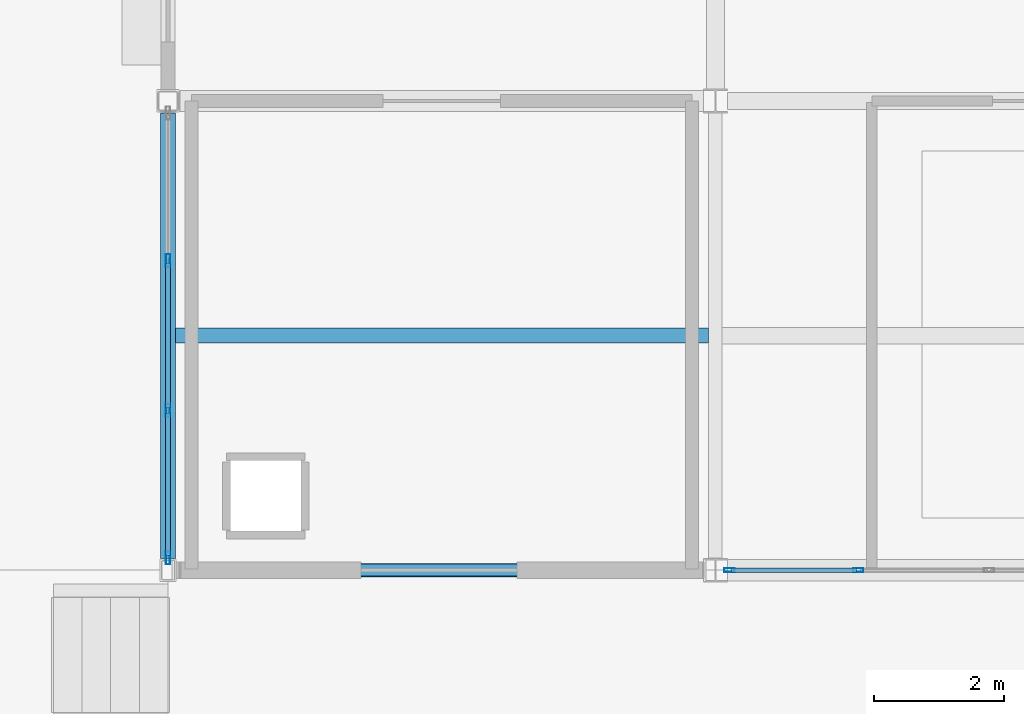
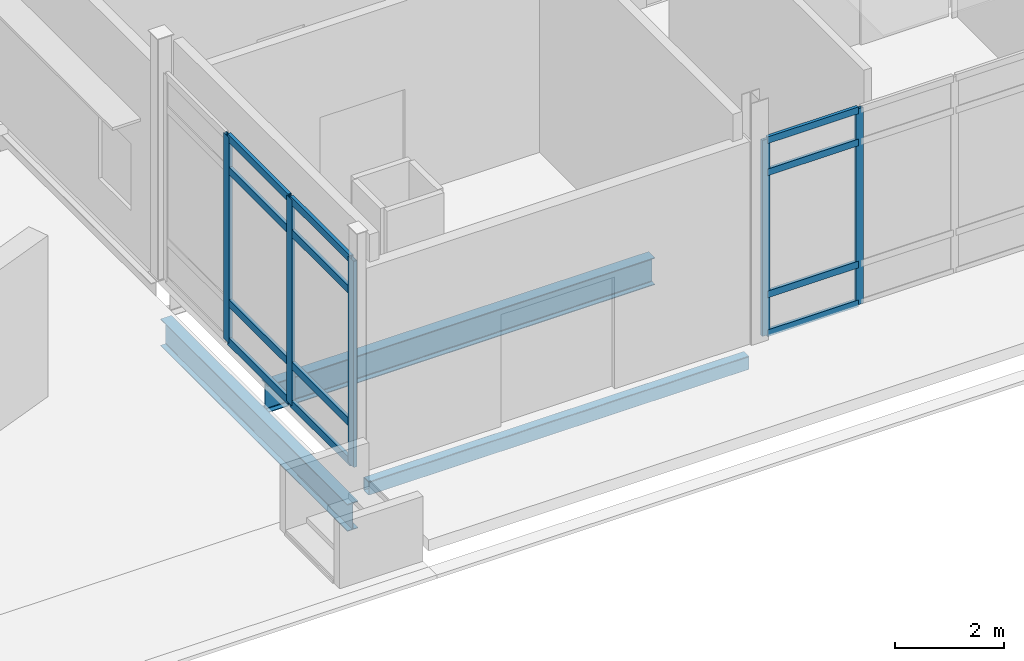
# One storey, part 35 of 229: 17 members, 3 beams, 2 elements without a shape of their own.
"""IFC4 building model written with IfcOpenShell, lengths in metres."""

from ifc_helpers import new_model, si_unit, direction, frame, origin, origin_2d, place, context, subcontext, project, spatial, hollow_rectangle, i_section, extrude, material, layer, layer_set, material_profile, profile_set, type_object, element, aggregate, save


model = new_model("IFC4")

# Units and contexts
model_context = context("Model", 3, precision=1e-05, world=origin(), true_north=direction((0.0, 1.0)))
body_context = subcontext(model_context, "Body", "Model", "MODEL_VIEW")
ifc_project = project(units=[si_unit("LENGTHUNIT", "METRE"), si_unit("AREAUNIT", "SQUARE_METRE"), si_unit("VOLUMEUNIT", "CUBIC_METRE"), si_unit("PLANEANGLEUNIT", "RADIAN"), si_unit("MASSUNIT", "GRAM", prefix="KILO")], contexts=[model_context])

# Site, building, storey
site_placement = place(None, origin())
site = spatial("IfcSite", under=ifc_project, at=site_placement, CompositionType="ELEMENT")
building_placement = place(site_placement, origin())
building = spatial("IfcBuilding", under=site, at=building_placement, Name="Calvrana Isthmian Art Gallery", CompositionType="ELEMENT")
storey_placement = place(building_placement, origin())
storey = spatial("IfcBuildingStorey", under=building, at=storey_placement, Name="L00", CompositionType="ELEMENT", Elevation=0.0)

# Beams
ifc_material_1 = material(Name="Steel ASTM A992 Gr 50", Category="steel")
ifc_material_profile_1 = material_profile(ifc_material_1, i_section(OverallWidth=0.22802734375, OverallDepth=0.60693359375, WebThickness=0.01123046875, FlangeThickness=0.017333984375, FilletRadius=0.02197265625, at=origin_2d()), Name="W24X76")
ifc_profile_set_1 = profile_set([ifc_material_profile_1], Name="Steel ASTM A992 Gr 50")
beam_type_1 = type_object("IfcBeamType", Name="BM-G-W24X76", PredefinedType="BEAM", material=ifc_profile_set_1)
beam_1_placement = place(storey_placement, frame((63.60009765625, 0.177978515625, -1.153564453125), z_axis=(0.0, 1.0, 0.0), x_axis=(-1.0, 0.0, 0.0)))
element("IfcBeam", 1, at=beam_1_placement, inside=storey, type_object=beam_type_1, Name="Girder Y L00 09/A-B", PredefinedType="BEAM", context=body_context, shape_type="SweptSolid", body=[
    extrude(i_section(OverallWidth=0.22802734375, OverallDepth=0.60693359375, WebThickness=0.01123046875, FlangeThickness=0.017333984375, FilletRadius=0.02197265625, at=origin_2d()), origin(), (0.0, 0.0, 1.0), 6.840576171875),
])
beam_2_placement = place(storey_placement, frame((63.714111328125, 3.60009765625, -0.58837890625), z_axis=(1.0, 0.0, 0.0), x_axis=(0.0, 1.0, 0.0)))
element("IfcBeam", 2, at=beam_2_placement, inside=storey, type_object=beam_type_1, Name="Composite joist L00 bay 08-00", PredefinedType="BEAM", context=body_context, shape_type="SweptSolid", body=[
    extrude(i_section(OverallWidth=0.22802734375, OverallDepth=0.60693359375, WebThickness=0.01123046875, FlangeThickness=0.017333984375, FilletRadius=0.02197265625, at=origin_2d()), origin(), (0.0, 0.0, 1.0), 8.181396484375),
])
ifc_material_2 = material(Name="Steel ASTM A500 Gr C", Category="steel")
ifc_material_profile_2 = material_profile(ifc_material_2, hollow_rectangle(XDim=0.203125, YDim=0.3046875, WallThickness=0.0126953125, OuterFilletRadius=0.02490234375, at=origin_2d()), Name="HSS305X203X12.7")
ifc_profile_set_2 = profile_set([ifc_material_profile_2], Name="Steel ASTM A500 Gr C")
beam_type_2 = type_object("IfcBeamType", Name="BM-SP-HSS305", PredefinedType="SPANDREL", material=ifc_profile_set_2)
beam_3_placement = place(storey_placement, frame((63.783935546875, 0.0, -0.4375), z_axis=(1.0, 0.0, 0.0), x_axis=(0.0, 1.0, 0.0)))
element("IfcBeam", 3, at=beam_3_placement, inside=storey, type_object=beam_type_2, Name="Girder X L00 09-10/A", PredefinedType="SPANDREL", context=body_context, shape_type="SweptSolid", body=[
    extrude(hollow_rectangle(XDim=0.203125, YDim=0.3046875, WallThickness=0.0126953125, OuterFilletRadius=0.02490234375, at=origin_2d()), origin(), (0.0, 0.0, 1.0), 8.029541015625),
])

# Curtain wall, members
ifc_material_3 = material(Name="Anodized bronze aluminium 6063-T6", Category="aluminium")
ifc_layer_1 = layer(ifc_material_3, 0.179931640625, Name="Anodized bronze aluminium 6063-T6")
ifc_layer_set_1 = layer_set([ifc_layer_1], Name="Anodized bronze aluminium 6063-T6")
curtain_wall_type_1 = type_object("IfcCurtainWallType", Name="CW-UNIT-080X44", PredefinedType="USERDEFINED", material=ifc_layer_set_1)
curtain_wall_1_placement = place(storey_placement, origin())
curtain_wall_1 = element("IfcCurtainWall", 4, at=curtain_wall_1_placement, inside=storey, type_object=curtain_wall_type_1, Name="Curtain wall CW-007", ObjectType="UNITISED CURTAIN WALL", PredefinedType="USERDEFINED")
ifc_material_profile_3 = material_profile(ifc_material_3, hollow_rectangle(XDim=0.06005859375, YDim=0.159912109375, WallThickness=0.00390625, at=origin_2d()), Name="CWM60X160")
ifc_profile_set_3 = profile_set([ifc_material_profile_3], Name="Anodized bronze aluminium 6063-T6")
member_type_1 = type_object("IfcMemberType", Name="CWM-CWM60X160", PredefinedType="MULLION", material=ifc_profile_set_3)
member_1_placement = place(storey_placement, frame((74.19140625, 0.0, 0.0), z_axis=(0.0, 0.0, 1.0), x_axis=(0.0, -1.0, 0.0)))
member_1 = element("IfcMember", 5, at=member_1_placement, type_object=member_type_1, Name="CW-007 mullion 4", PredefinedType="MULLION", context=body_context, shape_type="SweptSolid", body=[
    extrude(hollow_rectangle(XDim=0.06005859375, YDim=0.159912109375, WallThickness=0.00390625, at=origin_2d()), origin(), (0.0, 0.0, 1.0), 4.3779296875),
])
member_2_placement = place(storey_placement, frame((72.214111328125, 0.0, 0.0), z_axis=(0.0, 0.0, 1.0), x_axis=(0.0, -1.0, 0.0)))
member_2 = element("IfcMember", 6, at=member_2_placement, type_object=member_type_1, Name="CW-007 mullion 5", PredefinedType="MULLION", context=body_context, shape_type="SweptSolid", body=[
    extrude(hollow_rectangle(XDim=0.06005859375, YDim=0.159912109375, WallThickness=0.00390625, at=origin_2d()), origin(), (0.0, 0.0, 1.0), 4.3779296875),
])

ifc_layer_2 = layer(ifc_material_3, 0.179931640625, Name="Anodized bronze aluminium 6063-T6")
ifc_layer_set_2 = layer_set([ifc_layer_2], Name="Anodized bronze aluminium 6063-T6")
curtain_wall_type_2 = type_object("IfcCurtainWallType", Name="CW-STICK-069X46", PredefinedType="NOTDEFINED", material=ifc_layer_set_2)
curtain_wall_2_placement = place(storey_placement, origin())
curtain_wall_2 = element("IfcCurtainWall", 7, at=curtain_wall_2_placement, inside=storey, type_object=curtain_wall_type_2, Name="Curtain wall CW-063", PredefinedType="NOTDEFINED")
ifc_material_profile_4 = material_profile(ifc_material_3, hollow_rectangle(XDim=0.070068359375, YDim=0.199951171875, WallThickness=0.0048828125, at=origin_2d()), Name="CWM70X200")
ifc_profile_set_4 = profile_set([ifc_material_profile_4], Name="Anodized bronze aluminium 6063-T6")
member_type_2 = type_object("IfcMemberType", Name="CWM-CWM70X200", PredefinedType="MULLION", material=ifc_profile_set_4)
member_3_placement = place(storey_placement, frame((63.60009765625, 0.1875, 0.0), z_axis=(0.0, 0.0, 1.0), x_axis=(-1.0, 0.0, 0.0)))
member_3 = element("IfcMember", 8, at=member_3_placement, type_object=member_type_2, Name="CW-063 mullion 1", PredefinedType="MULLION", context=body_context, shape_type="SweptSolid", body=[
    extrude(hollow_rectangle(XDim=0.070068359375, YDim=0.199951171875, WallThickness=0.0048828125, at=origin_2d()), origin(), (0.0, 0.0, 1.0), 4.60693359375),
])
member_4_placement = place(storey_placement, frame((63.60009765625, 2.45068359375, 0.0), z_axis=(0.0, 0.0, 1.0), x_axis=(-1.0, 0.0, 0.0)))
member_4 = element("IfcMember", 9, at=member_4_placement, type_object=member_type_2, Name="CW-063 mullion 2", PredefinedType="MULLION", context=body_context, shape_type="SweptSolid", body=[
    extrude(hollow_rectangle(XDim=0.070068359375, YDim=0.199951171875, WallThickness=0.0048828125, at=origin_2d()), origin(), (0.0, 0.0, 1.0), 4.60693359375),
])
member_5_placement = place(storey_placement, frame((63.60009765625, 4.749267578125, 0.0), z_axis=(0.0, 0.0, 1.0), x_axis=(-1.0, 0.0, 0.0)))
member_5 = element("IfcMember", 10, at=member_5_placement, type_object=member_type_2, Name="CW-063 mullion 3", PredefinedType="MULLION", context=body_context, shape_type="SweptSolid", body=[
    extrude(hollow_rectangle(XDim=0.070068359375, YDim=0.199951171875, WallThickness=0.0048828125, at=origin_2d()), origin(), (0.0, 0.0, 1.0), 4.60693359375),
])

# Member
ifc_material_profile_5 = material_profile(ifc_material_3, hollow_rectangle(XDim=0.06494140625, YDim=0.14990234375, WallThickness=0.00390625, at=origin_2d()), Name="CWT65X150")
ifc_profile_set_5 = profile_set([ifc_material_profile_5], Name="Anodized bronze aluminium 6063-T6")
member_type_3 = type_object("IfcMemberType", Name="CWT-CWT65X150", PredefinedType="USERDEFINED", material=ifc_profile_set_5)
member_6_placement = place(storey_placement, frame((74.161376953125, 0.0, 0.032470703125), z_axis=(-1.0, 0.0, 0.0), x_axis=(0.0, -1.0, 0.0)))
member_6 = element("IfcMember", 11, at=member_6_placement, type_object=member_type_3, Name="CW-007 transom 4.1", ObjectType="TRANSOM", PredefinedType="USERDEFINED", context=body_context, shape_type="SweptSolid", body=[
    extrude(hollow_rectangle(XDim=0.06494140625, YDim=0.14990234375, WallThickness=0.00390625, at=origin_2d()), origin(), (0.0, 0.0, 1.0), 1.91748046875),
])

member_7_placement = place(storey_placement, frame((74.161376953125, 0.0, 0.89990234375), z_axis=(-1.0, 0.0, 0.0), x_axis=(0.0, -1.0, 0.0)))
member_7 = element("IfcMember", 12, at=member_7_placement, type_object=member_type_3, Name="CW-007 transom 4.2", ObjectType="TRANSOM", PredefinedType="USERDEFINED", context=body_context, shape_type="SweptSolid", body=[
    extrude(hollow_rectangle(XDim=0.06494140625, YDim=0.14990234375, WallThickness=0.00390625, at=origin_2d()), origin(), (0.0, 0.0, 1.0), 1.91748046875),
])

member_8_placement = place(storey_placement, frame((74.161376953125, 0.0, 3.6279296875), z_axis=(-1.0, 0.0, 0.0), x_axis=(0.0, -1.0, 0.0)))
member_8 = element("IfcMember", 13, at=member_8_placement, type_object=member_type_3, Name="CW-007 transom 4.3", ObjectType="TRANSOM", PredefinedType="USERDEFINED", context=body_context, shape_type="SweptSolid", body=[
    extrude(hollow_rectangle(XDim=0.06494140625, YDim=0.14990234375, WallThickness=0.00390625, at=origin_2d()), origin(), (0.0, 0.0, 1.0), 1.91748046875),
])

member_9_placement = place(storey_placement, frame((74.161376953125, 0.0, 4.345458984375), z_axis=(-1.0, 0.0, 0.0), x_axis=(0.0, -1.0, 0.0)))
member_9 = element("IfcMember", 14, at=member_9_placement, type_object=member_type_3, Name="CW-007 transom 4.4", ObjectType="TRANSOM", PredefinedType="USERDEFINED", context=body_context, shape_type="SweptSolid", body=[
    extrude(hollow_rectangle(XDim=0.06494140625, YDim=0.14990234375, WallThickness=0.00390625, at=origin_2d()), origin(), (0.0, 0.0, 1.0), 1.91748046875),
])

aggregate(curtain_wall_1, [member_1, member_2, member_6, member_7, member_8, member_9])

ifc_material_profile_6 = material_profile(ifc_material_3, hollow_rectangle(XDim=0.070068359375, YDim=0.169921875, WallThickness=0.00439453125, at=origin_2d()), Name="CWT70X170")
ifc_profile_set_6 = profile_set([ifc_material_profile_6], Name="Anodized bronze aluminium 6063-T6")
member_type_4 = type_object("IfcMemberType", Name="CWT-CWT70X170", PredefinedType="USERDEFINED", material=ifc_profile_set_6)
member_10_placement = place(storey_placement, frame((63.60009765625, 0.222412109375, 0.034912109375), z_axis=(0.0, 1.0, 0.0), x_axis=(-1.0, 0.0, 0.0)))
member_10 = element("IfcMember", 15, at=member_10_placement, type_object=member_type_4, Name="CW-063 transom 1.1", ObjectType="TRANSOM", PredefinedType="USERDEFINED", context=body_context, shape_type="SweptSolid", body=[
    extrude(hollow_rectangle(XDim=0.070068359375, YDim=0.169921875, WallThickness=0.00439453125, at=origin_2d()), origin(), (0.0, 0.0, 1.0), 2.193359375),
])

member_11_placement = place(storey_placement, frame((63.60009765625, 0.222412109375, 0.89990234375), z_axis=(0.0, 1.0, 0.0), x_axis=(-1.0, 0.0, 0.0)))
member_11 = element("IfcMember", 16, at=member_11_placement, type_object=member_type_4, Name="CW-063 transom 1.2", ObjectType="TRANSOM", PredefinedType="USERDEFINED", context=body_context, shape_type="SweptSolid", body=[
    extrude(hollow_rectangle(XDim=0.070068359375, YDim=0.169921875, WallThickness=0.00439453125, at=origin_2d()), origin(), (0.0, 0.0, 1.0), 2.193359375),
])

member_12_placement = place(storey_placement, frame((63.60009765625, 0.222412109375, 3.85693359375), z_axis=(0.0, 1.0, 0.0), x_axis=(-1.0, 0.0, 0.0)))
member_12 = element("IfcMember", 17, at=member_12_placement, type_object=member_type_4, Name="CW-063 transom 1.3", ObjectType="TRANSOM", PredefinedType="USERDEFINED", context=body_context, shape_type="SweptSolid", body=[
    extrude(hollow_rectangle(XDim=0.070068359375, YDim=0.169921875, WallThickness=0.00439453125, at=origin_2d()), origin(), (0.0, 0.0, 1.0), 2.193359375),
])

member_13_placement = place(storey_placement, frame((63.60009765625, 0.222412109375, 4.572021484375), z_axis=(0.0, 1.0, 0.0), x_axis=(-1.0, 0.0, 0.0)))
member_13 = element("IfcMember", 18, at=member_13_placement, type_object=member_type_4, Name="CW-063 transom 1.4", ObjectType="TRANSOM", PredefinedType="USERDEFINED", context=body_context, shape_type="SweptSolid", body=[
    extrude(hollow_rectangle(XDim=0.070068359375, YDim=0.169921875, WallThickness=0.00439453125, at=origin_2d()), origin(), (0.0, 0.0, 1.0), 2.193359375),
])

member_14_placement = place(storey_placement, frame((63.60009765625, 2.48583984375, 0.034912109375), z_axis=(0.0, 1.0, 0.0), x_axis=(-1.0, 0.0, 0.0)))
member_14 = element("IfcMember", 19, at=member_14_placement, type_object=member_type_4, Name="CW-063 transom 2.1", ObjectType="TRANSOM", PredefinedType="USERDEFINED", context=body_context, shape_type="SweptSolid", body=[
    extrude(hollow_rectangle(XDim=0.070068359375, YDim=0.169921875, WallThickness=0.00439453125, at=origin_2d()), origin(), (0.0, 0.0, 1.0), 2.228271484375),
])

member_15_placement = place(storey_placement, frame((63.60009765625, 2.48583984375, 0.89990234375), z_axis=(0.0, 1.0, 0.0), x_axis=(-1.0, 0.0, 0.0)))
member_15 = element("IfcMember", 20, at=member_15_placement, type_object=member_type_4, Name="CW-063 transom 2.2", ObjectType="TRANSOM", PredefinedType="USERDEFINED", context=body_context, shape_type="SweptSolid", body=[
    extrude(hollow_rectangle(XDim=0.070068359375, YDim=0.169921875, WallThickness=0.00439453125, at=origin_2d()), origin(), (0.0, 0.0, 1.0), 2.228271484375),
])

member_16_placement = place(storey_placement, frame((63.60009765625, 2.48583984375, 3.85693359375), z_axis=(0.0, 1.0, 0.0), x_axis=(-1.0, 0.0, 0.0)))
member_16 = element("IfcMember", 21, at=member_16_placement, type_object=member_type_4, Name="CW-063 transom 2.3", ObjectType="TRANSOM", PredefinedType="USERDEFINED", context=body_context, shape_type="SweptSolid", body=[
    extrude(hollow_rectangle(XDim=0.070068359375, YDim=0.169921875, WallThickness=0.00439453125, at=origin_2d()), origin(), (0.0, 0.0, 1.0), 2.228271484375),
])

member_17_placement = place(storey_placement, frame((63.60009765625, 2.48583984375, 4.572021484375), z_axis=(0.0, 1.0, 0.0), x_axis=(-1.0, 0.0, 0.0)))
member_17 = element("IfcMember", 22, at=member_17_placement, type_object=member_type_4, Name="CW-063 transom 2.4", ObjectType="TRANSOM", PredefinedType="USERDEFINED", context=body_context, shape_type="SweptSolid", body=[
    extrude(hollow_rectangle(XDim=0.070068359375, YDim=0.169921875, WallThickness=0.00439453125, at=origin_2d()), origin(), (0.0, 0.0, 1.0), 2.228271484375),
])

aggregate(curtain_wall_2, [member_3, member_4, member_5, member_10, member_11, member_12, member_13, member_14, member_15, member_16, member_17])

save(model, "model.ifc")
